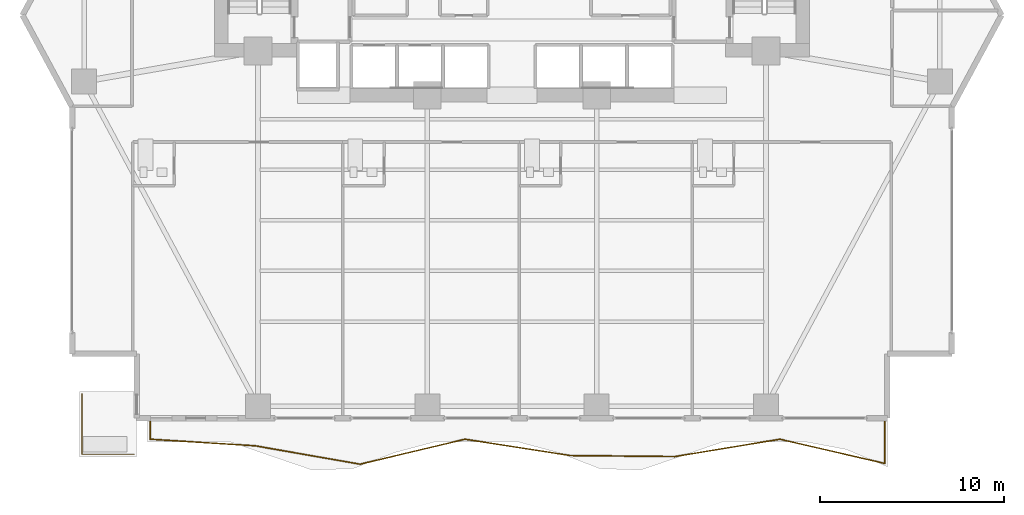
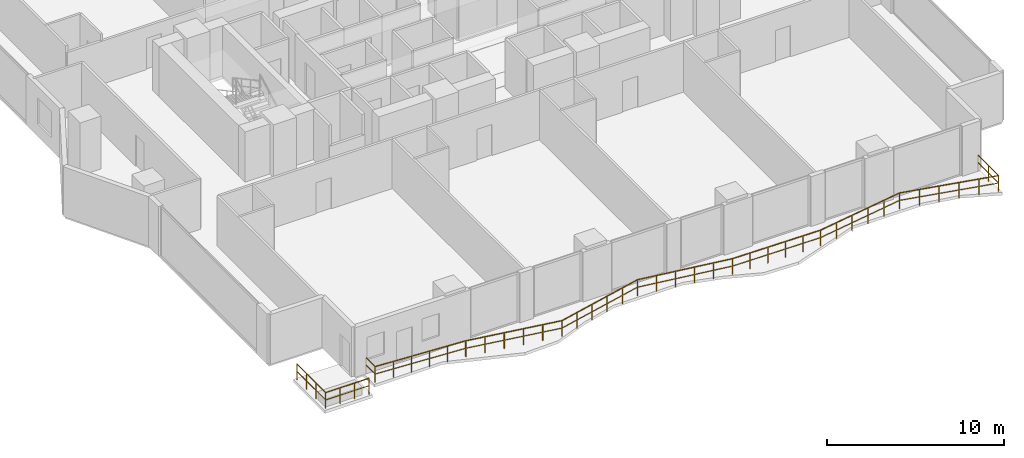
# One storey, part 24 of 27: 2 railings.
"""IFC4 building model written with IfcOpenShell, lengths in metres."""

from ifc_helpers import new_model, si_unit, direction, frame, origin, origin_2d, place, context, subcontext, project, spatial, rectangle, extrude, material, type_object, element, save


model = new_model("IFC4")

# Units and contexts
model_context = context("Model", 3, precision=1e-05, world=origin(), true_north=direction((0.0, 1.0)))
body_context = subcontext(model_context, "Body", "Model", "MODEL_VIEW")
ifc_project = project(units=[si_unit("LENGTHUNIT", "METRE"), si_unit("AREAUNIT", "SQUARE_METRE"), si_unit("VOLUMEUNIT", "CUBIC_METRE"), si_unit("PLANEANGLEUNIT", "RADIAN"), si_unit("MASSUNIT", "GRAM", prefix="KILO")], contexts=[model_context])

# Site, building, storey
site_placement = place(None, origin())
site = spatial("IfcSite", under=ifc_project, at=site_placement, CompositionType="ELEMENT")
building_placement = place(site_placement, origin())
building = spatial("IfcBuilding", under=site, at=building_placement, Name="Zuhayl Quay Hotel", CompositionType="ELEMENT")
storey_placement = place(building_placement, frame((0.0, 0.0, 117.550048828125)))
storey = spatial("IfcBuildingStorey", under=building, at=storey_placement, Name="L29", CompositionType="ELEMENT", Elevation=117.550048828125)

# Railings
ifc_material = material(Name="Anodised Aluminium and Laminated Glass", Category="aluminium")
railing_type = type_object("IfcRailingType", Name="RL_EXT_BAL_1100", PredefinedType="BALUSTRADE", material=ifc_material)
railing_1_placement = place(storey_placement, frame((-19.659912109375, -15.52001953125, 0.0)))
element("IfcRailing", 1, at=railing_1_placement, inside=storey, type_object=railing_type, Name="L29 Balcony and Terrace Guard GR_L29_BAL_S", PredefinedType="BALUSTRADE", context=body_context, shape_type="SweptSolid", body=[
    extrude(rectangle(XDim=0.048095703125, YDim=0.048095703125, at=origin_2d()), frame((0.0, 0.0, 1.09619140625), z_axis=(0.0, -1.0, 0.0), x_axis=(1.0, 0.0, 0.0)), (0.0, 0.0, 1.0), 1.02001953125),
    extrude(rectangle(XDim=0.0361328125, YDim=0.0361328125, at=origin_2d()), frame((0.0, 0.0, 0.58251953125), z_axis=(0.0, -1.0, 0.0), x_axis=(1.0, 0.0, 0.0)), (0.0, 0.0, 1.0), 1.02001953125),
    extrude(rectangle(XDim=0.048095703125, YDim=0.048095703125, at=origin_2d()), frame((0.0, -1.02001953125, 1.09619140625), z_axis=(0.998033747136, -0.062678860698, 0.0), x_axis=(0.062678860698, 0.998033747136, 0.0)), (0.0, 0.0, 1.0), 5.714111328125),
    extrude(rectangle(XDim=0.0361328125, YDim=0.0361328125, at=origin_2d()), frame((0.0, -1.02001953125, 0.58251953125), z_axis=(0.998033747136, -0.062678860698, 0.0), x_axis=(0.062678860698, 0.998033747136, 0.0)), (0.0, 0.0, 1.0), 5.714111328125),
    extrude(rectangle(XDim=0.048095703125, YDim=0.048095703125, at=origin_2d()), frame((5.702880859375, -1.378173828125, 1.09619140625), z_axis=(0.984977793415, -0.172681054201, 0.0), x_axis=(0.172681054201, 0.984977793415, 0.0)), (0.0, 0.0, 1.0), 5.78955078125),
    extrude(rectangle(XDim=0.0361328125, YDim=0.0361328125, at=origin_2d()), frame((5.702880859375, -1.378173828125, 0.58251953125), z_axis=(0.984977793415, -0.172681054201, 0.0), x_axis=(0.172681054201, 0.984977793415, 0.0)), (0.0, 0.0, 1.0), 5.78955078125),
    extrude(rectangle(XDim=0.048095703125, YDim=0.048095703125, at=origin_2d()), frame((11.405517578125, -2.3779296875, 1.09619140625), z_axis=(0.972803086697, 0.231633664464, 0.0), x_axis=(-0.231633664464, 0.972803086697, 0.0)), (0.0, 0.0, 1.0), 5.8623046875),
    extrude(rectangle(XDim=0.0361328125, YDim=0.0361328125, at=origin_2d()), frame((11.405517578125, -2.3779296875, 0.58251953125), z_axis=(0.972803086697, 0.231633664464, 0.0), x_axis=(-0.231633664464, 0.972803086697, 0.0)), (0.0, 0.0, 1.0), 5.8623046875),
    extrude(rectangle(XDim=0.048095703125, YDim=0.048095703125, at=origin_2d()), frame((17.1083984375, -1.02001953125, 1.09619140625), z_axis=(0.988133310408, -0.153598700719, 0.0), x_axis=(0.153598700719, 0.988133310408, 0.0)), (0.0, 0.0, 1.0), 5.771484375),
    extrude(rectangle(XDim=0.0361328125, YDim=0.0361328125, at=origin_2d()), frame((17.1083984375, -1.02001953125, 0.58251953125), z_axis=(0.988133310408, -0.153598700719, 0.0), x_axis=(0.153598700719, 0.988133310408, 0.0)), (0.0, 0.0, 1.0), 5.771484375),
    extrude(rectangle(XDim=0.048095703125, YDim=0.048095703125, at=origin_2d()), frame((22.811279296875, -1.906494140625, 1.09619140625), z_axis=(0.99995110622, -0.009888638449, 0.0), x_axis=(0.009888638449, 0.99995110622, 0.0)), (0.0, 0.0, 1.0), 5.703125),
    extrude(rectangle(XDim=0.0361328125, YDim=0.0361328125, at=origin_2d()), frame((22.811279296875, -1.906494140625, 0.58251953125), z_axis=(0.99995110622, -0.009888638449, 0.0), x_axis=(0.009888638449, 0.99995110622, 0.0)), (0.0, 0.0, 1.0), 5.703125),
    extrude(rectangle(XDim=0.048095703125, YDim=0.048095703125, at=origin_2d()), frame((28.51416015625, -1.962890625, 1.09619140625), z_axis=(0.986606558748, 0.163118049997, 0.0), x_axis=(-0.163118049997, 0.986606558748, 0.0)), (0.0, 0.0, 1.0), 5.7802734375),
    extrude(rectangle(XDim=0.0361328125, YDim=0.0361328125, at=origin_2d()), frame((28.51416015625, -1.962890625, 0.58251953125), z_axis=(0.986606558748, 0.163118049997, 0.0), x_axis=(-0.163118049997, 0.986606558748, 0.0)), (0.0, 0.0, 1.0), 5.7802734375),
    extrude(rectangle(XDim=0.048095703125, YDim=0.048095703125, at=origin_2d()), frame((34.217041015625, -1.02001953125, 1.09619140625), z_axis=(0.97430465735, -0.225234177392, 0.0), x_axis=(0.225234177392, 0.97430465735, 0.0)), (0.0, 0.0, 1.0), 5.853271484375),
    extrude(rectangle(XDim=0.0361328125, YDim=0.0361328125, at=origin_2d()), frame((34.217041015625, -1.02001953125, 0.58251953125), z_axis=(0.97430465735, -0.225234177392, 0.0), x_axis=(0.225234177392, 0.97430465735, 0.0)), (0.0, 0.0, 1.0), 5.853271484375),
    extrude(rectangle(XDim=0.048095703125, YDim=0.048095703125, at=origin_2d()), frame((39.919921875, -2.33837890625, 1.09619140625), z_axis=(0.0, 1.0, 0.0), x_axis=(-1.0, 0.0, 0.0)), (0.0, 0.0, 1.0), 2.33837890625),
    extrude(rectangle(XDim=0.0361328125, YDim=0.0361328125, at=origin_2d()), frame((39.919921875, -2.33837890625, 0.58251953125), z_axis=(0.0, 1.0, 0.0), x_axis=(-1.0, 0.0, 0.0)), (0.0, 0.0, 1.0), 2.33837890625),
    extrude(rectangle(XDim=0.0419921875, YDim=0.0419921875, at=origin_2d()), origin(), (0.0, 0.0, 1.0), 1.072021484375),
    extrude(rectangle(XDim=0.0419921875, YDim=0.0419921875, at=origin_2d()), frame((0.0, -1.02001953125, 0.0)), (0.0, 0.0, 1.0), 1.072021484375),
    extrude(rectangle(XDim=0.0419921875, YDim=0.0419921875, at=origin_2d()), frame((1.140625, -1.091552734375, 0.0)), (0.0, 0.0, 1.0), 1.072021484375),
    extrude(rectangle(XDim=0.0419921875, YDim=0.0419921875, at=origin_2d()), frame((2.28125, -1.163330078125, 0.0)), (0.0, 0.0, 1.0), 1.072021484375),
    extrude(rectangle(XDim=0.0419921875, YDim=0.0419921875, at=origin_2d()), frame((3.421630859375, -1.23486328125, 0.0)), (0.0, 0.0, 1.0), 1.072021484375),
    extrude(rectangle(XDim=0.0419921875, YDim=0.0419921875, at=origin_2d()), frame((4.562255859375, -1.306640625, 0.0)), (0.0, 0.0, 1.0), 1.072021484375),
    extrude(rectangle(XDim=0.0419921875, YDim=0.0419921875, at=origin_2d()), frame((5.702880859375, -1.378173828125, 0.0)), (0.0, 0.0, 1.0), 1.072021484375),
    extrude(rectangle(XDim=0.0419921875, YDim=0.0419921875, at=origin_2d()), frame((6.843505859375, -1.578125, 0.0)), (0.0, 0.0, 1.0), 1.072021484375),
    extrude(rectangle(XDim=0.0419921875, YDim=0.0419921875, at=origin_2d()), frame((7.98388671875, -1.778076171875, 0.0)), (0.0, 0.0, 1.0), 1.072021484375),
    extrude(rectangle(XDim=0.0419921875, YDim=0.0419921875, at=origin_2d()), frame((9.12451171875, -1.97802734375, 0.0)), (0.0, 0.0, 1.0), 1.072021484375),
    extrude(rectangle(XDim=0.0419921875, YDim=0.0419921875, at=origin_2d()), frame((10.264892578125, -2.177978515625, 0.0)), (0.0, 0.0, 1.0), 1.072021484375),
    extrude(rectangle(XDim=0.0419921875, YDim=0.0419921875, at=origin_2d()), frame((11.405517578125, -2.3779296875, 0.0)), (0.0, 0.0, 1.0), 1.072021484375),
    extrude(rectangle(XDim=0.0419921875, YDim=0.0419921875, at=origin_2d()), frame((12.546142578125, -2.1064453125, 0.0)), (0.0, 0.0, 1.0), 1.072021484375),
    extrude(rectangle(XDim=0.0419921875, YDim=0.0419921875, at=origin_2d()), frame((13.686767578125, -1.834716796875, 0.0)), (0.0, 0.0, 1.0), 1.072021484375),
    extrude(rectangle(XDim=0.0419921875, YDim=0.0419921875, at=origin_2d()), frame((14.8271484375, -1.563232421875, 0.0)), (0.0, 0.0, 1.0), 1.072021484375),
    extrude(rectangle(XDim=0.0419921875, YDim=0.0419921875, at=origin_2d()), frame((15.9677734375, -1.29150390625, 0.0)), (0.0, 0.0, 1.0), 1.072021484375),
    extrude(rectangle(XDim=0.0419921875, YDim=0.0419921875, at=origin_2d()), frame((17.1083984375, -1.02001953125, 0.0)), (0.0, 0.0, 1.0), 1.072021484375),
    extrude(rectangle(XDim=0.0419921875, YDim=0.0419921875, at=origin_2d()), frame((18.2490234375, -1.197265625, 0.0)), (0.0, 0.0, 1.0), 1.072021484375),
    extrude(rectangle(XDim=0.0419921875, YDim=0.0419921875, at=origin_2d()), frame((19.3896484375, -1.37451171875, 0.0)), (0.0, 0.0, 1.0), 1.072021484375),
    extrude(rectangle(XDim=0.0419921875, YDim=0.0419921875, at=origin_2d()), frame((20.530029296875, -1.552001953125, 0.0)), (0.0, 0.0, 1.0), 1.072021484375),
    extrude(rectangle(XDim=0.0419921875, YDim=0.0419921875, at=origin_2d()), frame((21.670654296875, -1.729248046875, 0.0)), (0.0, 0.0, 1.0), 1.072021484375),
    extrude(rectangle(XDim=0.0419921875, YDim=0.0419921875, at=origin_2d()), frame((22.811279296875, -1.906494140625, 0.0)), (0.0, 0.0, 1.0), 1.072021484375),
    extrude(rectangle(XDim=0.0419921875, YDim=0.0419921875, at=origin_2d()), frame((23.951904296875, -1.917724609375, 0.0)), (0.0, 0.0, 1.0), 1.072021484375),
    extrude(rectangle(XDim=0.0419921875, YDim=0.0419921875, at=origin_2d()), frame((25.092529296875, -1.928955078125, 0.0)), (0.0, 0.0, 1.0), 1.072021484375),
    extrude(rectangle(XDim=0.0419921875, YDim=0.0419921875, at=origin_2d()), frame((26.23291015625, -1.9404296875, 0.0)), (0.0, 0.0, 1.0), 1.072021484375),
    extrude(rectangle(XDim=0.0419921875, YDim=0.0419921875, at=origin_2d()), frame((27.37353515625, -1.95166015625, 0.0)), (0.0, 0.0, 1.0), 1.072021484375),
    extrude(rectangle(XDim=0.0419921875, YDim=0.0419921875, at=origin_2d()), frame((28.51416015625, -1.962890625, 0.0)), (0.0, 0.0, 1.0), 1.072021484375),
    extrude(rectangle(XDim=0.0419921875, YDim=0.0419921875, at=origin_2d()), frame((29.65478515625, -1.7744140625, 0.0)), (0.0, 0.0, 1.0), 1.072021484375),
    extrude(rectangle(XDim=0.0419921875, YDim=0.0419921875, at=origin_2d()), frame((30.79541015625, -1.585693359375, 0.0)), (0.0, 0.0, 1.0), 1.072021484375),
    extrude(rectangle(XDim=0.0419921875, YDim=0.0419921875, at=origin_2d()), frame((31.935791015625, -1.397216796875, 0.0)), (0.0, 0.0, 1.0), 1.072021484375),
    extrude(rectangle(XDim=0.0419921875, YDim=0.0419921875, at=origin_2d()), frame((33.076416015625, -1.20849609375, 0.0)), (0.0, 0.0, 1.0), 1.072021484375),
    extrude(rectangle(XDim=0.0419921875, YDim=0.0419921875, at=origin_2d()), frame((34.217041015625, -1.02001953125, 0.0)), (0.0, 0.0, 1.0), 1.072021484375),
    extrude(rectangle(XDim=0.0419921875, YDim=0.0419921875, at=origin_2d()), frame((35.357666015625, -1.28369140625, 0.0)), (0.0, 0.0, 1.0), 1.072021484375),
    extrude(rectangle(XDim=0.0419921875, YDim=0.0419921875, at=origin_2d()), frame((36.498291015625, -1.54736328125, 0.0)), (0.0, 0.0, 1.0), 1.072021484375),
    extrude(rectangle(XDim=0.0419921875, YDim=0.0419921875, at=origin_2d()), frame((37.638671875, -1.81103515625, 0.0)), (0.0, 0.0, 1.0), 1.072021484375),
    extrude(rectangle(XDim=0.0419921875, YDim=0.0419921875, at=origin_2d()), frame((38.779296875, -2.07470703125, 0.0)), (0.0, 0.0, 1.0), 1.072021484375),
    extrude(rectangle(XDim=0.0419921875, YDim=0.0419921875, at=origin_2d()), frame((39.919921875, -2.33837890625, 0.0)), (0.0, 0.0, 1.0), 1.072021484375),
    extrude(rectangle(XDim=0.0419921875, YDim=0.0419921875, at=origin_2d()), frame((39.919921875, -1.169189453125, 0.0)), (0.0, 0.0, 1.0), 1.072021484375),
    extrude(rectangle(XDim=0.0419921875, YDim=0.0419921875, at=origin_2d()), frame((39.919921875, 0.0, 0.0)), (0.0, 0.0, 1.0), 1.072021484375),
])
railing_2_placement = place(storey_placement, frame((-23.360107421875, -14.090087890625, 0.0)))
element("IfcRailing", 2, at=railing_2_placement, inside=storey, type_object=railing_type, Name="L29 Balcony and Terrace Guard GR_L29_SPIRAL_SW", PredefinedType="BALUSTRADE", context=body_context, shape_type="SweptSolid", body=[
    extrude(rectangle(XDim=0.048095703125, YDim=0.048095703125, at=origin_2d()), frame((0.0, 0.0, 1.09619140625), z_axis=(0.0, -1.0, 0.0), x_axis=(1.0, 0.0, 0.0)), (0.0, 0.0, 1.0), 3.27001953125),
    extrude(rectangle(XDim=0.0361328125, YDim=0.0361328125, at=origin_2d()), frame((0.0, 0.0, 0.58251953125), z_axis=(0.0, -1.0, 0.0), x_axis=(1.0, 0.0, 0.0)), (0.0, 0.0, 1.0), 3.27001953125),
    extrude(rectangle(XDim=0.048095703125, YDim=0.048095703125, at=origin_2d()), frame((0.0, -3.27001953125, 1.09619140625), z_axis=(1.0, 0.0, 0.0), x_axis=(0.0, 1.0, 0.0)), (0.0, 0.0, 1.0), 2.820068359375),
    extrude(rectangle(XDim=0.0361328125, YDim=0.0361328125, at=origin_2d()), frame((0.0, -3.27001953125, 0.58251953125), z_axis=(1.0, 0.0, 0.0), x_axis=(0.0, 1.0, 0.0)), (0.0, 0.0, 1.0), 2.820068359375),
    extrude(rectangle(XDim=0.0419921875, YDim=0.0419921875, at=origin_2d()), origin(), (0.0, 0.0, 1.0), 1.072021484375),
    extrude(rectangle(XDim=0.0419921875, YDim=0.0419921875, at=origin_2d()), frame((0.0, -1.090087890625, 0.0)), (0.0, 0.0, 1.0), 1.072021484375),
    extrude(rectangle(XDim=0.0419921875, YDim=0.0419921875, at=origin_2d()), frame((0.0, -2.179931640625, 0.0)), (0.0, 0.0, 1.0), 1.072021484375),
    extrude(rectangle(XDim=0.0419921875, YDim=0.0419921875, at=origin_2d()), frame((0.0, -3.27001953125, 0.0)), (0.0, 0.0, 1.0), 1.072021484375),
    extrude(rectangle(XDim=0.0419921875, YDim=0.0419921875, at=origin_2d()), frame((0.93994140625, -3.27001953125, 0.0)), (0.0, 0.0, 1.0), 1.072021484375),
    extrude(rectangle(XDim=0.0419921875, YDim=0.0419921875, at=origin_2d()), frame((1.880126953125, -3.27001953125, 0.0)), (0.0, 0.0, 1.0), 1.072021484375),
    extrude(rectangle(XDim=0.0419921875, YDim=0.0419921875, at=origin_2d()), frame((2.820068359375, -3.27001953125, 0.0)), (0.0, 0.0, 1.0), 1.072021484375),
])

save(model, "model.ifc")
